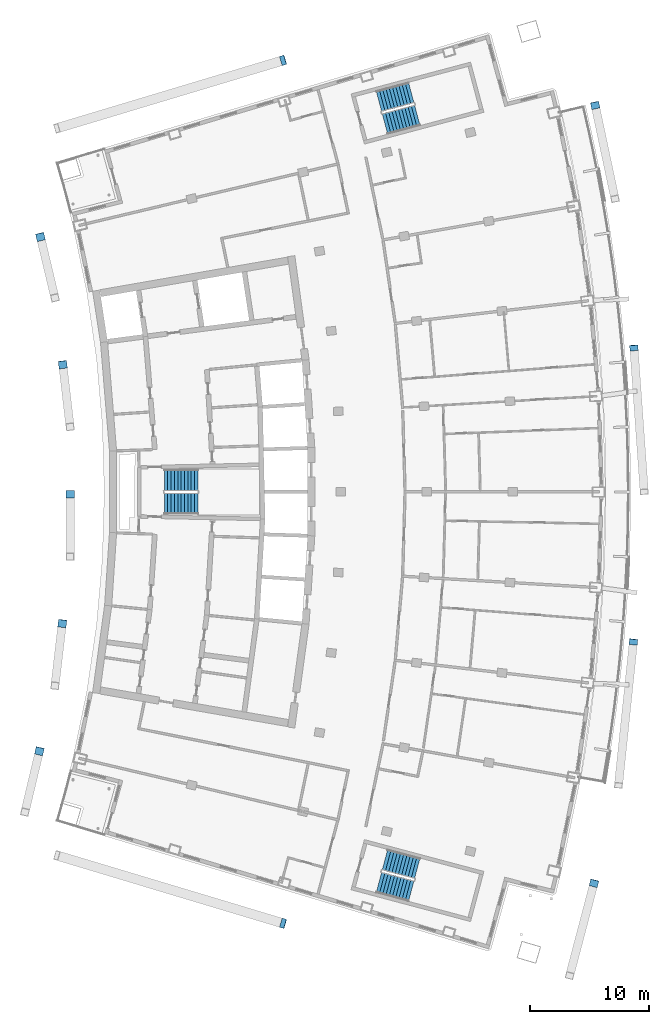
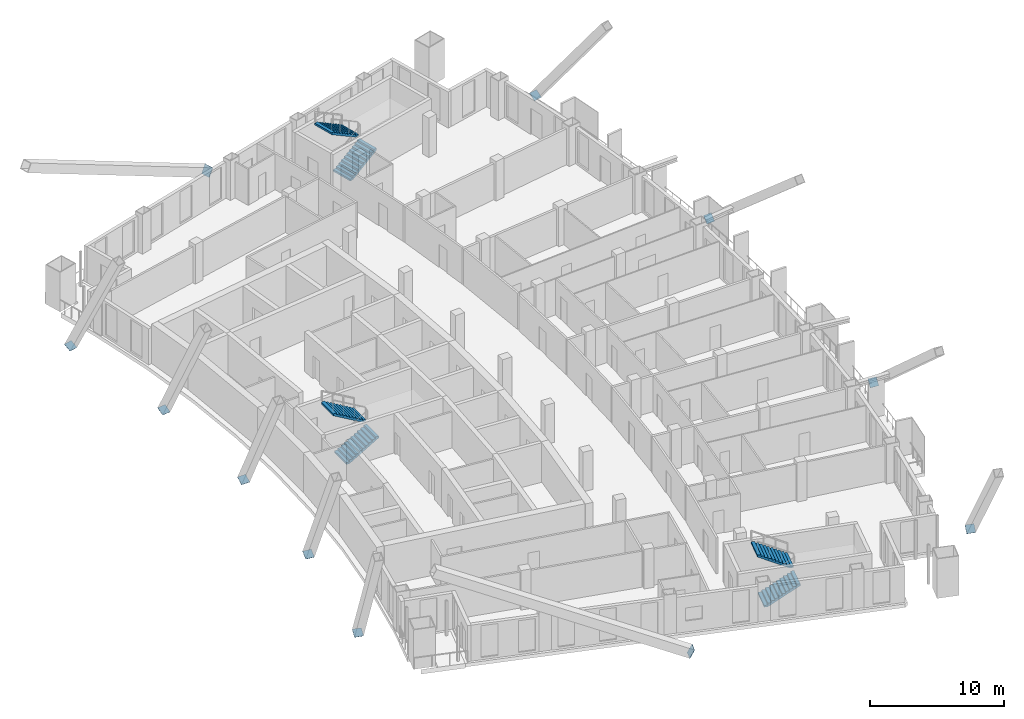
# One storey, part 16 of 19: 11 discrete accessories, 6 stair flights, 3 elements without a shape of their own.
"""IFC4 building model written with IfcOpenShell, lengths in metres."""

from ifc_helpers import new_model, si_unit, direction, frame, origin, origin_2d, place, context, subcontext, project, spatial, polyline, rectangle, outline, extrude, material, layer, layer_set, material_profile, profile_set, type_object, element, aggregate, save


model = new_model("IFC4")

# Units and contexts
model_context = context("Model", 3, precision=1e-05, world=origin(), true_north=direction((0.0, 1.0)))
body_context = subcontext(model_context, "Body", "Model", "MODEL_VIEW")
ifc_project = project(units=[si_unit("LENGTHUNIT", "METRE"), si_unit("AREAUNIT", "SQUARE_METRE"), si_unit("VOLUMEUNIT", "CUBIC_METRE"), si_unit("PLANEANGLEUNIT", "RADIAN"), si_unit("MASSUNIT", "GRAM", prefix="KILO")], contexts=[model_context])

# Site, building, storey
site_placement = place(None, origin())
site = spatial("IfcSite", under=ifc_project, at=site_placement, CompositionType="ELEMENT")
building_placement = place(site_placement, origin())
building = spatial("IfcBuilding", under=site, at=building_placement, Name="Alderwake Tower", CompositionType="ELEMENT")
storey_placement = place(building_placement, frame((0.0, 0.0, 221.60009765625)))
storey = spatial("IfcBuildingStorey", under=building, at=storey_placement, Name="L55", CompositionType="ELEMENT", Elevation=221.60009765625)

# Stair, stair flights
ifc_material_1 = material(Name="Concrete C40/50", Category="concrete")
stair_type = type_object("IfcStairType", Name="Core exit stair", PredefinedType="HALF_TURN_STAIR", material=ifc_material_1)
stair_1_placement = place(storey_placement, origin())
stair_1 = element("IfcStair", 1, at=stair_1_placement, inside=storey, type_object=stair_type, Name="L55 Exit Stair B", PredefinedType="HALF_TURN_STAIR")
ifc_material_2 = material(Name="Concrete C40/50", Category="concrete")
ifc_layer = layer(ifc_material_2, 0.14990234375)
ifc_layer_set = layer_set([ifc_layer], Name="Core stair flight")
stair_flight_type = type_object("IfcStairFlightType", Name="Core stair flight", PredefinedType="STRAIGHT", material=ifc_layer_set)
stair_flight_1_placement = place(storey_placement, frame((21.0400390625, 60.02490234375, 0.0), z_axis=(0.0, 0.0, 1.0), x_axis=(1.0, 0.0, 0.0)))
stair_flight_1 = element("IfcStairFlight", 2, at=stair_flight_1_placement, type_object=stair_flight_type, Name="ST-B flight 1", NumberOfRisers=11, NumberOfTreads=10, PredefinedType="STRAIGHT", RiserHeight=0.163636364, TreadLength=0.28, context=body_context, shape_type="SweptSolid", body=[
    extrude(outline(polyline([(0.0, 0.0), (0.0, 0.16357421875), (0.280029296875, 0.16357421875), (0.280029296875, 0.327392578125), (0.56005859375, 0.327392578125), (0.56005859375, 0.490966796875), (0.840087890625, 0.490966796875), (0.840087890625, 0.654541015625), (1.1201171875, 0.654541015625), (1.1201171875, 0.818115234375), (1.39990234375, 0.818115234375), (1.39990234375, 0.98193359375), (1.679931640625, 0.98193359375), (1.679931640625, 1.1455078125), (1.9599609375, 1.1455078125), (1.9599609375, 1.30908203125), (2.239990234375, 1.30908203125), (2.239990234375, 1.47265625), (2.52001953125, 1.47265625), (2.52001953125, 1.636474609375), (2.800048828125, 1.636474609375), (2.800048828125, 1.800048828125), (2.800048828125, 1.462646484375), (0.297119140625, 0.0), (0.0, 0.0)])), frame((0.0, 0.89990234375, 0.0), z_axis=(0.0, -1.0, 0.0), x_axis=(1.0, 0.0, 0.0)), (0.0, 0.0, 1.0), 1.800048828125),
])
stair_flight_2_placement = place(storey_placement, frame((23.840087890625, 61.97509765625, 1.7998046875), z_axis=(0.0, 0.0, 1.0), x_axis=(-1.0, 0.0, 0.0)))
stair_flight_2 = element("IfcStairFlight", 3, at=stair_flight_2_placement, type_object=stair_flight_type, Name="ST-B flight 2", NumberOfRisers=11, NumberOfTreads=10, PredefinedType="STRAIGHT", RiserHeight=0.163636364, TreadLength=0.28, context=body_context, shape_type="SweptSolid", body=[
    extrude(outline(polyline([(0.0, 0.0), (0.0, 0.16357421875), (0.280029296875, 0.16357421875), (0.280029296875, 0.327392578125), (0.56005859375, 0.327392578125), (0.56005859375, 0.490966796875), (0.840087890625, 0.490966796875), (0.840087890625, 0.654541015625), (1.1201171875, 0.654541015625), (1.1201171875, 0.818115234375), (1.39990234375, 0.818115234375), (1.39990234375, 0.98193359375), (1.679931640625, 0.98193359375), (1.679931640625, 1.1455078125), (1.9599609375, 1.1455078125), (1.9599609375, 1.30908203125), (2.239990234375, 1.30908203125), (2.239990234375, 1.47265625), (2.52001953125, 1.47265625), (2.52001953125, 1.636474609375), (2.800048828125, 1.636474609375), (2.800048828125, 1.800048828125), (2.800048828125, 1.462646484375), (0.297119140625, 0.0), (0.0, 0.0)])), frame((0.0, 0.89990234375, 0.0), z_axis=(0.0, -1.0, 0.0), x_axis=(1.0, 0.0, 0.0)), (0.0, 0.0, 1.0), 1.800048828125),
])
aggregate(stair_1, [stair_flight_1, stair_flight_2])

stair_2_placement = place(storey_placement, origin())
stair_2 = element("IfcStair", 4, at=stair_2_placement, inside=storey, type_object=stair_type, Name="L55 Exit Stair A", PredefinedType="HALF_TURN_STAIR")
stair_flight_3_placement = place(storey_placement, frame((39.512939453125, 91.823974609375, 0.0), z_axis=(0.0, 0.0, 1.0), x_axis=(0.966309627437, 0.257382407951, 0.0)))
stair_flight_3 = element("IfcStairFlight", 5, at=stair_flight_3_placement, type_object=stair_flight_type, Name="ST-A flight 1", NumberOfRisers=11, NumberOfTreads=10, PredefinedType="STRAIGHT", RiserHeight=0.163636364, TreadLength=0.28, context=body_context, shape_type="SweptSolid", body=[
    extrude(outline(polyline([(0.0, 0.0), (0.0, 0.16357421875), (0.280029296875, 0.16357421875), (0.280029296875, 0.327392578125), (0.56005859375, 0.327392578125), (0.56005859375, 0.490966796875), (0.840087890625, 0.490966796875), (0.840087890625, 0.654541015625), (1.1201171875, 0.654541015625), (1.1201171875, 0.818115234375), (1.39990234375, 0.818115234375), (1.39990234375, 0.98193359375), (1.679931640625, 0.98193359375), (1.679931640625, 1.1455078125), (1.9599609375, 1.1455078125), (1.9599609375, 1.30908203125), (2.239990234375, 1.30908203125), (2.239990234375, 1.47265625), (2.52001953125, 1.47265625), (2.52001953125, 1.636474609375), (2.800048828125, 1.636474609375), (2.800048828125, 1.800048828125), (2.800048828125, 1.462646484375), (0.297119140625, 0.0), (0.0, 0.0)])), frame((0.0, 0.89990234375, 0.0), z_axis=(0.0, -1.0, 0.0), x_axis=(1.0, 0.0, 0.0)), (0.0, 0.0, 1.0), 1.800048828125),
])
stair_flight_4_placement = place(storey_placement, frame((41.716796875, 94.428955078125, 1.7998046875), z_axis=(0.0, 0.0, 1.0), x_axis=(-0.966309627437, -0.257382407951, 0.0)))
stair_flight_4 = element("IfcStairFlight", 6, at=stair_flight_4_placement, type_object=stair_flight_type, Name="ST-A flight 2", NumberOfRisers=11, NumberOfTreads=10, PredefinedType="STRAIGHT", RiserHeight=0.163636364, TreadLength=0.28, context=body_context, shape_type="SweptSolid", body=[
    extrude(outline(polyline([(0.0, 0.0), (0.0, 0.16357421875), (0.280029296875, 0.16357421875), (0.280029296875, 0.327392578125), (0.56005859375, 0.327392578125), (0.56005859375, 0.490966796875), (0.840087890625, 0.490966796875), (0.840087890625, 0.654541015625), (1.1201171875, 0.654541015625), (1.1201171875, 0.818115234375), (1.39990234375, 0.818115234375), (1.39990234375, 0.98193359375), (1.679931640625, 0.98193359375), (1.679931640625, 1.1455078125), (1.9599609375, 1.1455078125), (1.9599609375, 1.30908203125), (2.239990234375, 1.30908203125), (2.239990234375, 1.47265625), (2.52001953125, 1.47265625), (2.52001953125, 1.636474609375), (2.800048828125, 1.636474609375), (2.800048828125, 1.800048828125), (2.800048828125, 1.462646484375), (0.297119140625, 0.0), (0.0, 0.0)])), frame((0.0, 0.89990234375, 0.0), z_axis=(0.0, -1.0, 0.0), x_axis=(1.0, 0.0, 0.0)), (0.0, 0.0, 1.0), 1.800048828125),
])
aggregate(stair_2, [stair_flight_3, stair_flight_4])

stair_3_placement = place(storey_placement, origin())
stair_3 = element("IfcStair", 7, at=stair_3_placement, inside=storey, type_object=stair_type, Name="L55 Exit Stair C", PredefinedType="HALF_TURN_STAIR")
stair_flight_5_placement = place(storey_placement, frame((39.010986328125, 28.291748046875, 0.0), z_axis=(0.0, 0.0, 1.0), x_axis=(0.966309627437, -0.257382407951, 0.0)))
stair_flight_5 = element("IfcStairFlight", 8, at=stair_flight_5_placement, type_object=stair_flight_type, Name="ST-C flight 1", NumberOfRisers=11, NumberOfTreads=10, PredefinedType="STRAIGHT", RiserHeight=0.163636364, TreadLength=0.28, context=body_context, shape_type="SweptSolid", body=[
    extrude(outline(polyline([(0.0, 0.0), (0.0, 0.16357421875), (0.280029296875, 0.16357421875), (0.280029296875, 0.327392578125), (0.56005859375, 0.327392578125), (0.56005859375, 0.490966796875), (0.840087890625, 0.490966796875), (0.840087890625, 0.654541015625), (1.1201171875, 0.654541015625), (1.1201171875, 0.818115234375), (1.39990234375, 0.818115234375), (1.39990234375, 0.98193359375), (1.679931640625, 0.98193359375), (1.679931640625, 1.1455078125), (1.9599609375, 1.1455078125), (1.9599609375, 1.30908203125), (2.239990234375, 1.30908203125), (2.239990234375, 1.47265625), (2.52001953125, 1.47265625), (2.52001953125, 1.636474609375), (2.800048828125, 1.636474609375), (2.800048828125, 1.800048828125), (2.800048828125, 1.462646484375), (0.297119140625, 0.0), (0.0, 0.0)])), frame((0.0, 0.89990234375, 0.0), z_axis=(0.0, -1.0, 0.0), x_axis=(1.0, 0.0, 0.0)), (0.0, 0.0, 1.0), 1.800048828125),
])
stair_flight_6_placement = place(storey_placement, frame((42.218505859375, 29.455322265625, 1.7998046875), z_axis=(0.0, 0.0, 1.0), x_axis=(-0.966309627437, 0.257382407951, 0.0)))
stair_flight_6 = element("IfcStairFlight", 9, at=stair_flight_6_placement, type_object=stair_flight_type, Name="ST-C flight 2", NumberOfRisers=11, NumberOfTreads=10, PredefinedType="STRAIGHT", RiserHeight=0.163636364, TreadLength=0.28, context=body_context, shape_type="SweptSolid", body=[
    extrude(outline(polyline([(0.0, 0.0), (0.0, 0.16357421875), (0.280029296875, 0.16357421875), (0.280029296875, 0.327392578125), (0.56005859375, 0.327392578125), (0.56005859375, 0.490966796875), (0.840087890625, 0.490966796875), (0.840087890625, 0.654541015625), (1.1201171875, 0.654541015625), (1.1201171875, 0.818115234375), (1.39990234375, 0.818115234375), (1.39990234375, 0.98193359375), (1.679931640625, 0.98193359375), (1.679931640625, 1.1455078125), (1.9599609375, 1.1455078125), (1.9599609375, 1.30908203125), (2.239990234375, 1.30908203125), (2.239990234375, 1.47265625), (2.52001953125, 1.47265625), (2.52001953125, 1.636474609375), (2.800048828125, 1.636474609375), (2.800048828125, 1.800048828125), (2.800048828125, 1.462646484375), (0.297119140625, 0.0), (0.0, 0.0)])), frame((0.0, 0.89990234375, 0.0), z_axis=(0.0, -1.0, 0.0), x_axis=(1.0, 0.0, 0.0)), (0.0, 0.0, 1.0), 1.800048828125),
])
aggregate(stair_3, [stair_flight_5, stair_flight_6])

# Discrete accessories
ifc_material_3 = material(Name="Steel ASTM A572 Grade 50", Category="steel")
ifc_material_profile_1 = material_profile(ifc_material_3, rectangle(XDim=0.699951171875, YDim=0.699951171875, at=origin_2d()), Name="BOX 700X700X45 cap")
ifc_profile_set_1 = profile_set([ifc_material_profile_1], Name="Steel ASTM A572 Grade 50")
discrete_accessory_type_1 = type_object("IfcDiscreteAccessoryType", Name="End cap plate BOX 700X700X45", PredefinedType="USERDEFINED", material=ifc_profile_set_1)
for number, where, z_axis, x_axis, name in (
    (10, (57.020263671875, 28.207763671875, 0.30615234375), (0.154369542892, 0.584979320433, -0.796221852811), (-0.966900358349, 0.255154261231, 0.0), "End cap BRF4.2.2B2 X"),
    (11, (60.32080078125, 48.4208984375, 0.25), (0.081311562818, 0.748066377927, -0.658623658827), (-0.994144463069, 0.108059180768, 0.0), "End cap BRF4.2.4B2 X"),
):
    element("IfcDiscreteAccessory", number, at=place(storey_placement, frame(where, z_axis=z_axis, x_axis=x_axis)), inside=storey, type_object=discrete_accessory_type_1, Name=name, ObjectType="END CAP", PredefinedType="USERDEFINED", context=body_context, shape_type="SweptSolid", body=[
        extrude(rectangle(XDim=0.699951171875, YDim=0.699951171875, at=origin_2d()), origin(), (0.0, 0.0, 1.0), 0.030029296875),
    ])
discrete_accessory_1_placement = place(storey_placement, frame((60.367919921875, 73.0439453125, 0.25), z_axis=(-0.056667623985, 0.752869861514, -0.655725363254), x_axis=(-0.997179282295, -0.075056505119, 0.0)))
element("IfcDiscreteAccessory", 12, at=discrete_accessory_1_placement, inside=storey, type_object=discrete_accessory_type_1, Name="End cap BRF4.2.7B2 X", ObjectType="END CAP", PredefinedType="USERDEFINED", context=body_context, shape_type="SweptSolid", body=[
    extrude(rectangle(XDim=0.699951171875, YDim=0.699951171875, at=origin_2d()), origin(), (0.0, 0.0, 1.0), 0.0302734375),
])
discrete_accessory_2_placement = place(storey_placement, frame((57.122802734375, 93.361083984375, 0.30615234375), z_axis=(-0.12982412124, 0.592322553157, -0.795172742595), x_axis=(-0.976812641419, -0.214095921407, 0.0)))
element("IfcDiscreteAccessory", 13, at=discrete_accessory_2_placement, inside=storey, type_object=discrete_accessory_type_1, Name="End cap BRF4.2.10B2 X", ObjectType="END CAP", PredefinedType="USERDEFINED", context=body_context, shape_type="SweptSolid", body=[
    extrude(rectangle(XDim=0.699951171875, YDim=0.699951171875, at=origin_2d()), origin(), (0.0, 0.0, 1.0), 0.030029296875),
])
for number, where, z_axis, x_axis, name in (
    (14, (10.571533203125, 39.27099609375, 0.392822265625), (0.106265057576, 0.441408700699, -0.890991636597), (-0.972223637158, 0.234053838575, 0.0), "End cap BRR4.2.2B2 X"),
    (15, (12.485107421875, 49.961669921875, 0.392822265625), (0.057240686187, 0.44974824861, -0.891319256337), (-0.991997911724, 0.126254279674, 0.0), "End cap BRR4.2.4B2 X"),
):
    element("IfcDiscreteAccessory", number, at=place(storey_placement, frame(where, z_axis=z_axis, x_axis=x_axis)), inside=storey, type_object=discrete_accessory_type_1, Name=name, ObjectType="END CAP", PredefinedType="USERDEFINED", context=body_context, shape_type="SweptSolid", body=[
        extrude(rectangle(XDim=0.699951171875, YDim=0.699951171875, at=origin_2d()), origin(), (0.0, 0.0, 1.0), 0.02978515625),
    ])
discrete_accessory_3_placement = place(storey_placement, frame((13.141357421875, 60.802001953125, 0.392822265625), z_axis=(0.0, 0.456979203766, -0.88947737876), x_axis=(-1.0, 0.0, 0.0)))
element("IfcDiscreteAccessory", 16, at=discrete_accessory_3_placement, inside=storey, type_object=discrete_accessory_type_1, Name="End cap BRR4.2.6B2 X", ObjectType="END CAP", PredefinedType="USERDEFINED", context=body_context, shape_type="SweptSolid", body=[
    extrude(rectangle(XDim=0.699951171875, YDim=0.699951171875, at=origin_2d()), origin(), (0.0, 0.0, 1.0), 0.030029296875),
])
for number, where, z_axis, x_axis, name in (
    (17, (12.53125, 71.645263671875, 0.392822265625), (-0.057240686187, 0.44974824861, -0.891319256337), (-0.991997911724, -0.126254279674, 0.0), "End cap BRR4.2.8B2 X"),
    (18, (10.6630859375, 82.34375, 0.392822265625), (-0.106265057576, 0.441408700699, -0.890991636597), (-0.972223637158, -0.234053838575, 0.0), "End cap BRR4.2.10B2 X"),
):
    element("IfcDiscreteAccessory", number, at=place(storey_placement, frame(where, z_axis=z_axis, x_axis=x_axis)), inside=storey, type_object=discrete_accessory_type_1, Name=name, ObjectType="END CAP", PredefinedType="USERDEFINED", context=body_context, shape_type="SweptSolid", body=[
        extrude(rectangle(XDim=0.699951171875, YDim=0.699951171875, at=origin_2d()), origin(), (0.0, 0.0, 1.0), 0.02978515625),
    ])
ifc_material_4 = material(Name="Steel ASTM A572 Grade 50", Category="steel")
ifc_material_profile_2 = material_profile(ifc_material_4, rectangle(XDim=0.800048828125, YDim=0.800048828125, at=origin_2d()), Name="BOX 800X800X50 cap")
ifc_profile_set_2 = profile_set([ifc_material_profile_2], Name="Steel ASTM A572 Grade 50")
discrete_accessory_type_2 = type_object("IfcDiscreteAccessoryType", Name="End cap plate BOX 800X800X50", PredefinedType="USERDEFINED", material=ifc_profile_set_2)
for number, where, z_axis, x_axis, name in (
    (19, (30.970703125, 24.8642578125, 0.279296875), (0.848421463916, -0.252894859437, -0.465000225416), (0.285656661543, 0.958332025822, 0.0), "End cap BRS4.2.0B2 X"),
    (20, (30.970703125, 97.1357421875, 0.279296875), (0.848421463916, 0.252894859437, -0.465000225416), (-0.285656661543, 0.958332025822, 0.0), "End cap BRN4.2.0B2 X"),
):
    element("IfcDiscreteAccessory", number, at=place(storey_placement, frame(where, z_axis=z_axis, x_axis=x_axis)), inside=storey, type_object=discrete_accessory_type_2, Name=name, ObjectType="END CAP", PredefinedType="USERDEFINED", context=body_context, shape_type="SweptSolid", body=[
        extrude(rectangle(XDim=0.800048828125, YDim=0.800048828125, at=origin_2d()), origin(), (0.0, 0.0, 1.0), 0.030029296875),
    ])

save(model, "model.ifc")
